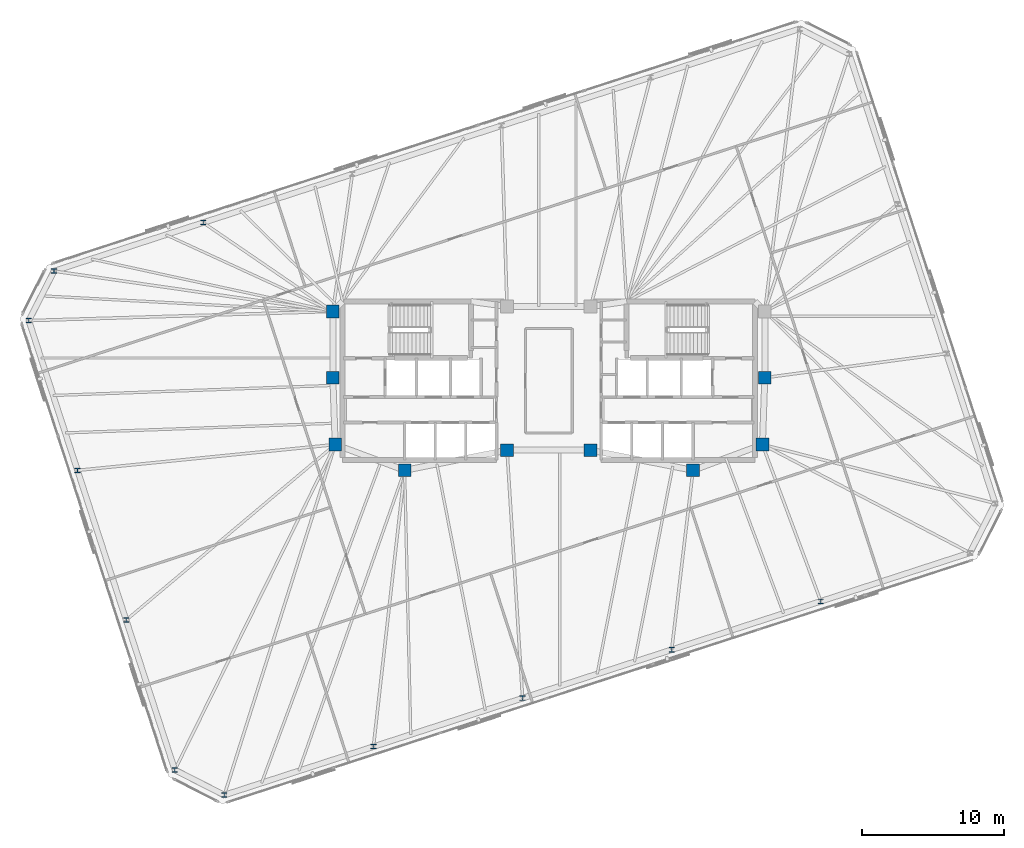
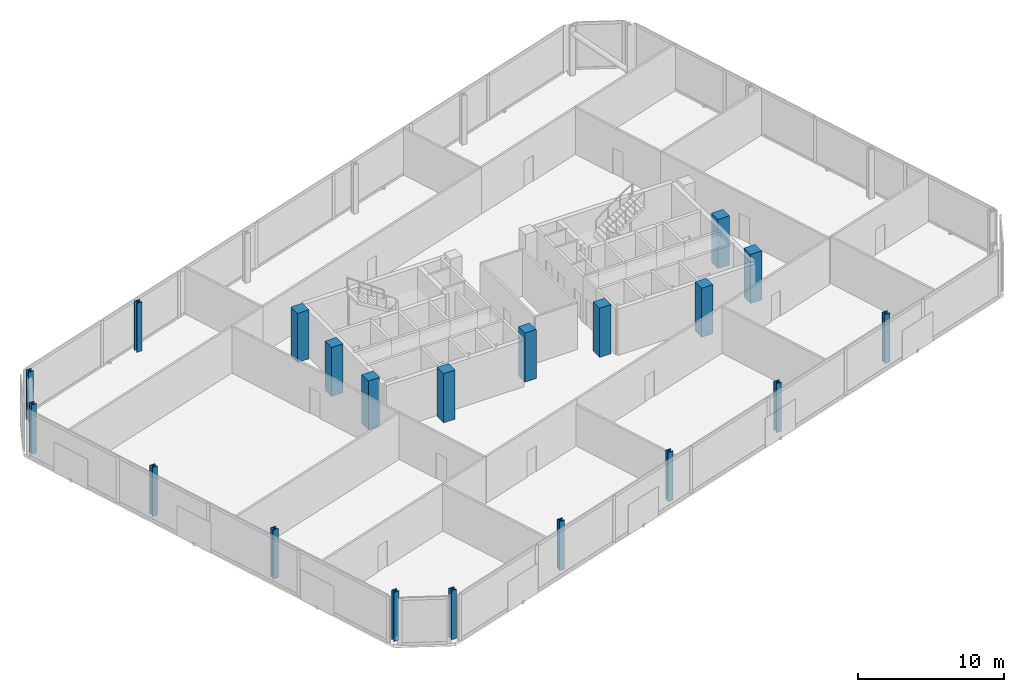
# One storey, part 1 of 14: 20 columns.
"""IFC4 building model written with IfcOpenShell, lengths in metres."""

from ifc_helpers import new_model, si_unit, direction, frame, origin, origin_2d, place, context, subcontext, project, spatial, rectangle, i_section, extrude, material, material_profile, profile_set, type_object, element, save


model = new_model("IFC4")

# Units and contexts
model_context = context("Model", 3, precision=1e-05, world=origin(), true_north=direction((0.0, 1.0)))
body_context = subcontext(model_context, "Body", "Model", "MODEL_VIEW")
ifc_project = project(units=[si_unit("LENGTHUNIT", "METRE"), si_unit("AREAUNIT", "SQUARE_METRE"), si_unit("VOLUMEUNIT", "CUBIC_METRE"), si_unit("PLANEANGLEUNIT", "RADIAN"), si_unit("MASSUNIT", "GRAM", prefix="KILO")], contexts=[model_context])

# Site, building, storey
site_placement = place(None, origin())
site = spatial("IfcSite", under=ifc_project, at=site_placement, CompositionType="ELEMENT")
building_placement = place(site_placement, origin())
building = spatial("IfcBuilding", under=site, at=building_placement, Name="Menara Jurai Vektor", CompositionType="ELEMENT")
storey_placement = place(building_placement, frame((0.0, 0.0, 206.800048828125)))
storey = spatial("IfcBuildingStorey", under=building, at=storey_placement, Name="L54", CompositionType="ELEMENT", Elevation=206.800048828125)

# Columns
ifc_material_1 = material(Name="Concrete C50/60", Category="concrete")
ifc_material_profile_1 = material_profile(ifc_material_1, rectangle(XDim=0.89990234375, YDim=0.89990234375, at=origin_2d()), Name="RC 900x900")
ifc_profile_set_1 = profile_set([ifc_material_profile_1], Name="Concrete C50/60")
column_type_1 = type_object("IfcColumnType", Name="STR-COL-RC900", PredefinedType="COLUMN", material=ifc_profile_set_1)
for number, where, z_axis, x_axis, name in (
    (1, (-15.25, 4.89990234375, 0.0), (0.0, 0.0, 1.0), (1.0, 0.0, 0.0), "Core Spine Column CW-NW L54"),
    (2, (-15.25, 0.219970703125, 0.0), (0.0, 0.0, 1.0), (1.0, 0.0, 0.0), "Core Spine Column CW-WM L54"),
    (3, (-15.080078125, -4.5, 0.0), (0.0, 0.0, 1.0), (1.0, 0.0, 0.0), "Core Spine Column CW-SW L54"),
    (4, (-10.179931640625, -6.320068359375, 0.0), (0.0, 0.0, 1.0), (1.0, 0.0, 0.0), "Core Spine Column CW-SM L54"),
    (5, (-2.949951171875, -4.89990234375, 0.0), (0.0, 0.0, 1.0), (1.0, 0.0, 0.0), "Core Spine Column CW-SE L54"),
    (6, (15.25, 0.219970703125, 0.0), (0.0, 0.0, 1.0), (1.0, 0.0, 0.0), "Core Spine Column CE-EM L54"),
    (7, (15.080078125, -4.5, 0.0), (0.0, 0.0, 1.0), (1.0, 0.0, 0.0), "Core Spine Column CE-SE L54"),
    (8, (10.179931640625, -6.320068359375, 0.0), (0.0, 0.0, 1.0), (1.0, 0.0, 0.0), "Core Spine Column CE-SM L54"),
    (9, (2.949951171875, -4.89990234375, 0.0), (0.0, 0.0, 1.0), (1.0, 0.0, 0.0), "Core Spine Column CE-SW L54"),
):
    element("IfcColumn", number, at=place(storey_placement, frame(where, z_axis=z_axis, x_axis=x_axis)), inside=storey, type_object=column_type_1, Name=name, PredefinedType="COLUMN", context=body_context, shape_type="SweptSolid", body=[
        extrude(rectangle(XDim=0.89990234375, YDim=0.89990234375, at=origin_2d()), origin(), (0.0, 0.0, 1.0), 4.099853515625),
    ])
ifc_material_2 = material(Name="Steel S460", Category="steel")
ifc_material_profile_2 = material_profile(ifc_material_2, i_section(OverallWidth=0.405029296875, OverallDepth=0.35498046875, WebThickness=0.0419921875, FlangeThickness=0.068115234375, FilletRadius=0.014892578125, at=origin_2d()), Name="HD 400x551")
ifc_profile_set_2 = profile_set([ifc_material_profile_2], Name="Steel S460")
column_type_2 = type_object("IfcColumnType", Name="STR-EXO-BLK4", PredefinedType="COLUMN", material=ifc_profile_set_2)
for number, where, z_axis, x_axis, name in (
    (10, (-22.912841796875, -29.2509765625, 0.0), (0.0, 0.0, 1.0), (1.0, 0.0, 0.0), "Exoskeleton Column BLK4-S1 L54"),
    (11, (-12.383544921875, -25.829833984375, 0.0), (0.0, 0.0, 1.0), (1.0, 0.0, 0.0), "Exoskeleton Column BLK4-S2 L54"),
    (12, (-1.854248046875, -22.40869140625, 0.0), (0.0, 0.0, 1.0), (1.0, 0.0, 0.0), "Exoskeleton Column BLK4-S3 L54"),
    (13, (8.675048828125, -18.987548828125, 0.0), (0.0, 0.0, 1.0), (1.0, 0.0, 0.0), "Exoskeleton Column BLK4-S4 L54"),
    (14, (19.204345703125, -15.56640625, 0.0), (0.0, 0.0, 1.0), (1.0, 0.0, 0.0), "Exoskeleton Column BLK4-S5 L54"),
    (15, (-24.404296875, 11.166259765625, 0.0), (0.0, 0.0, 1.0), (1.0, 0.0, 0.0), "Exoskeleton Column BLK4-N5 L54"),
    (16, (-34.93359375, 7.7451171875, 0.0), (0.0, 0.0, 1.0), (1.0, 0.0, 0.0), "Exoskeleton Column BLK4-N6 L54"),
    (17, (-36.71337890625, 4.251953125, 0.0), (0.0, 0.0, 1.0), (1.0, 0.0, 0.0), "Exoskeleton Column BLK4-W1 L54"),
    (18, (-33.277587890625, -6.322265625, 0.0), (0.0, 0.0, 1.0), (1.0, 0.0, 0.0), "Exoskeleton Column BLK4-W2 L54"),
    (19, (-29.841796875, -16.896728515625, 0.0), (0.0, 0.0, 1.0), (1.0, 0.0, 0.0), "Exoskeleton Column BLK4-W3 L54"),
    (20, (-26.406005859375, -27.47119140625, 0.0), (0.0, 0.0, 1.0), (1.0, 0.0, 0.0), "Exoskeleton Column BLK4-W4 L54"),
):
    element("IfcColumn", number, at=place(storey_placement, frame(where, z_axis=z_axis, x_axis=x_axis)), inside=storey, type_object=column_type_2, Name=name, PredefinedType="COLUMN", context=body_context, shape_type="SweptSolid", body=[
        extrude(i_section(OverallWidth=0.405029296875, OverallDepth=0.35498046875, WebThickness=0.0419921875, FlangeThickness=0.068115234375, FilletRadius=0.014892578125, at=origin_2d()), origin(), (0.0, 0.0, 1.0), 4.099853515625),
    ])

save(model, "model.ifc")
